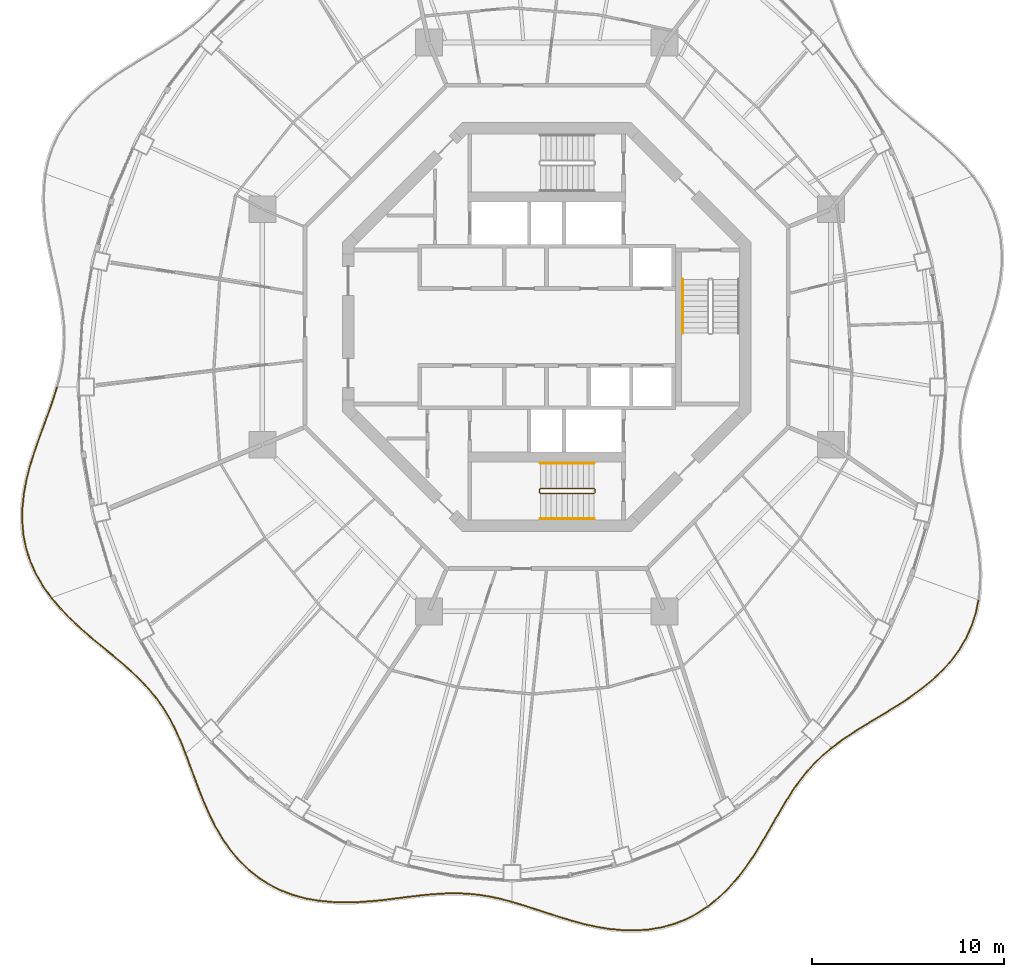
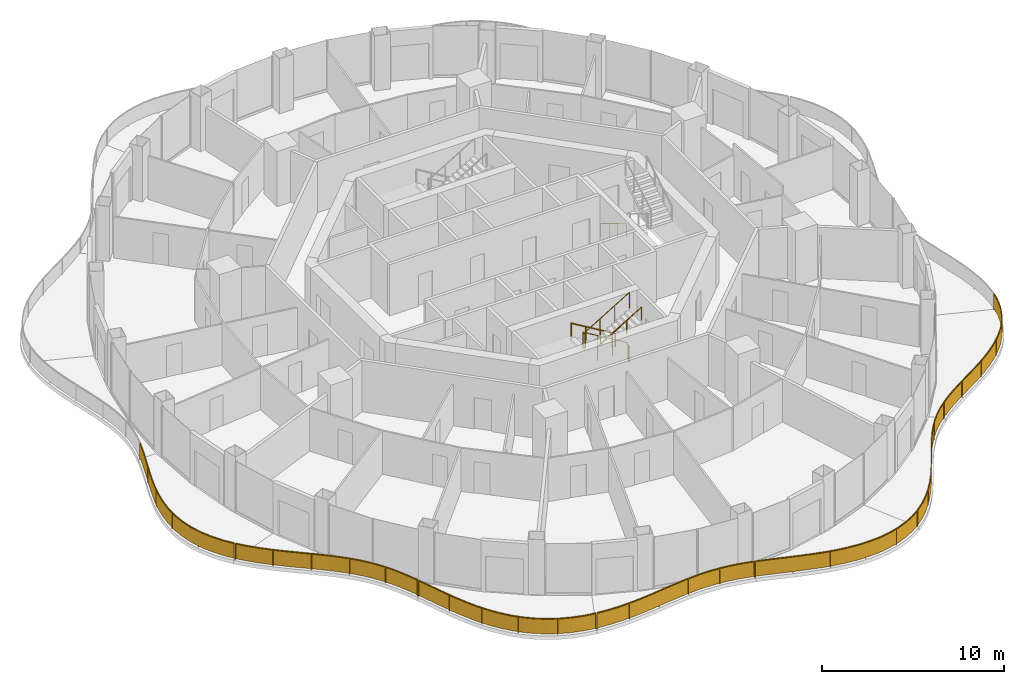
# One storey, part 16 of 18: 11 railings.
"""IFC4 building model written with IfcOpenShell, lengths in metres."""

from ifc_helpers import new_model, si_unit, direction, frame, origin, origin_2d, place, context, subcontext, project, spatial, polyline, rectangle, circle, outline, extrude, material, type_object, element, save


model = new_model("IFC4")

# Units and contexts
model_context = context("Model", 3, precision=1e-05, world=origin(), true_north=direction((0.0, 1.0)))
body_context = subcontext(model_context, "Body", "Model", "MODEL_VIEW")
ifc_project = project(units=[si_unit("LENGTHUNIT", "METRE"), si_unit("AREAUNIT", "SQUARE_METRE"), si_unit("VOLUMEUNIT", "CUBIC_METRE"), si_unit("PLANEANGLEUNIT", "RADIAN"), si_unit("MASSUNIT", "GRAM", prefix="KILO")], contexts=[model_context])

# Site, building, storey
site_placement = place(None, origin())
site = spatial("IfcSite", under=ifc_project, at=site_placement, CompositionType="ELEMENT")
building_placement = place(site_placement, origin())
building = spatial("IfcBuilding", under=site, at=building_placement, Name="Nagisa Residences", CompositionType="ELEMENT")
storey_placement = place(building_placement, frame((0.0, 0.0, 284.39990234375)))
storey = spatial("IfcBuildingStorey", under=building, at=storey_placement, Name="L72", CompositionType="ELEMENT", Elevation=284.39990234375)

# Railings
ifc_material_1 = material(Name="Stainless steel 316", Category="steel")
railing_type_1 = type_object("IfcRailingType", Name="BALCONY GUARD 1100", PredefinedType="BALUSTRADE", material=ifc_material_1)
railing_1_placement = place(storey_placement, frame((-25.464111328125, -3.15185546875, 0.0)))
element("IfcRailing", 1, at=railing_1_placement, inside=storey, type_object=railing_type_1, Name="guard:L72:bal08-0", PredefinedType="BALUSTRADE", context=body_context, shape_type="SweptSolid", body=[
    extrude(outline(polyline([(-0.169189453125, -0.6240234375), (0.02392578125, -0.007568359375), (-0.02392578125, 0.007568359375), (-0.216552734375, -0.6083984375), (-0.44921875, -1.275634765625), (-0.698486328125, -1.9560546875), (-0.9521484375, -2.649658203125), (-1.196044921875, -3.35595703125), (-1.418701171875, -4.059814453125), (-1.60302734375, -4.786376953125), (-1.73876953125, -5.517578125), (-1.814697265625, -6.249267578125), (-1.822998046875, -6.97607421875), (-1.76025390625, -7.6796875), (-1.616455078125, -8.381103515625), (-1.395263671875, -9.0625), (-1.098388671875, -9.719482421875), (-0.731689453125, -10.348876953125), (-0.328125, -10.91015625), (-0.28759765625, -10.880859375), (-0.689697265625, -10.321533203125), (-1.053955078125, -9.696533203125), (-1.348388671875, -9.04443359375), (-1.568115234375, -8.368408203125), (-1.71044921875, -7.67236328125), (-1.772705078125, -6.97412109375), (-1.764892578125, -6.252197265625), (-1.68896484375, -5.52490234375), (-1.55419921875, -4.797119140625), (-1.370361328125, -4.073486328125), (-1.148681640625, -3.37158203125), (-0.90478515625, -2.666259765625), (-0.651611328125, -1.97314453125), (-0.40185546875, -1.292724609375), (-0.169189453125, -0.6240234375)])), frame((0.0, 0.0, 1.050048828125)), (0.0, 0.0, 1.0), 0.050048828125),
    extrude(outline(polyline([(-0.186279296875, -0.618408203125), (0.006591796875, -0.002197265625), (-0.006591796875, 0.002197265625), (-0.199462890625, -0.614013671875), (-0.43212890625, -1.28173828125), (-0.681640625, -1.962158203125), (-0.93505859375, -2.655517578125), (-1.178955078125, -3.361572265625), (-1.4013671875, -4.064697265625), (-1.58544921875, -4.790283203125), (-1.720703125, -5.520263671875), (-1.796875, -6.250244140625), (-1.804931640625, -6.975341796875), (-1.7421875, -7.677001953125), (-1.59912109375, -8.37646484375), (-1.37841796875, -9.055908203125), (-1.08251953125, -9.711181640625), (-0.716552734375, -10.339111328125), (-0.3134765625, -10.899658203125), (-0.30224609375, -10.891357421875), (-0.704833984375, -10.331298828125), (-1.06982421875, -9.704833984375), (-1.365234375, -9.051025390625), (-1.58544921875, -8.373046875), (-1.728515625, -7.675048828125), (-1.790771484375, -6.974853515625), (-1.78271484375, -6.251220703125), (-1.70703125, -5.522216796875), (-1.57177734375, -4.793212890625), (-1.3876953125, -4.068603515625), (-1.165771484375, -3.365966796875), (-0.921875, -2.660400390625), (-0.66845703125, -1.967041015625), (-0.4189453125, -1.28662109375), (-0.186279296875, -0.618408203125)])), frame((0.0, 0.0, 0.06005859375)), (0.0, 0.0, 1.0), 0.989990234375),
    extrude(rectangle(XDim=0.0400390625, YDim=0.0400390625, at=origin_2d()), origin(), (0.0, 0.0, 1.0), 1.050048828125),
    extrude(rectangle(XDim=0.0400390625, YDim=0.0400390625, at=origin_2d()), frame((-0.752197265625, -2.17578125, 0.0)), (0.0, 0.0, 1.0), 1.050048828125),
    extrude(rectangle(XDim=0.0400390625, YDim=0.0400390625, at=origin_2d()), frame((-1.4697265625, -4.3623046875, 0.0)), (0.0, 0.0, 1.0), 1.050048828125),
    extrude(rectangle(XDim=0.0400390625, YDim=0.0400390625, at=origin_2d()), frame((-1.794189453125, -6.634765625, 0.0)), (0.0, 0.0, 1.0), 1.050048828125),
    extrude(rectangle(XDim=0.0400390625, YDim=0.0400390625, at=origin_2d()), frame((-1.423828125, -8.893310546875, 0.0)), (0.0, 0.0, 1.0), 1.050048828125),
    extrude(rectangle(XDim=0.0400390625, YDim=0.0400390625, at=origin_2d()), frame((-0.307861328125, -10.8955078125, 0.0)), (0.0, 0.0, 1.0), 1.050048828125),
])
railing_2_placement = place(storey_placement, frame((-25.723876953125, -14.10791015625, 0.0)))
element("IfcRailing", 2, at=railing_2_placement, inside=storey, type_object=railing_type_1, Name="guard:L72:bal09-0", PredefinedType="BALUSTRADE", context=body_context, shape_type="SweptSolid", body=[
    extrude(outline(polyline([(0.45556640625, -0.49853515625), (0.01904296875, 0.01611328125), (-0.01904296875, -0.01611328125), (0.41845703125, -0.5322265625), (0.923583984375, -1.057861328125), (1.456298828125, -1.55859375), (2.0048828125, -2.037841796875), (2.55810546875, -2.500244140625), (3.097900390625, -2.938232421875), (3.62744140625, -3.38427734375), (4.1318359375, -3.83154296875), (4.604736328125, -4.286865234375), (5.041748046875, -4.756103515625), (5.431640625, -5.23291015625), (5.792236328125, -5.746337890625), (6.1171875, -6.287353515625), (6.411376953125, -6.85791015625), (6.6806640625, -7.457763671875), (6.915283203125, -8.04443359375), (6.961669921875, -8.02587890625), (6.7265625, -7.438232421875), (6.456298828125, -6.83642578125), (6.1611328125, -6.262939453125), (5.834228515625, -5.718994140625), (5.4716796875, -5.20263671875), (5.079345703125, -4.723388671875), (4.640380859375, -4.251708984375), (4.166015625, -3.794921875), (3.66015625, -3.34619140625), (3.129638671875, -2.899658203125), (2.58984375, -2.461669921875), (2.03759765625, -1.999755859375), (1.489990234375, -1.521484375), (0.958740234375, -1.022216796875), (0.45556640625, -0.49853515625)])), frame((0.0, 0.0, 1.050048828125)), (0.0, 0.0, 1.0), 0.050048828125),
    extrude(outline(polyline([(0.442138671875, -0.5107421875), (0.00537109375, 0.004638671875), (-0.00537109375, -0.004638671875), (0.431884765625, -0.52001953125), (0.936279296875, -1.044921875), (1.468505859375, -1.545166015625), (2.0166015625, -2.024169921875), (2.569580078125, -2.486328125), (3.109375, -2.92431640625), (3.63916015625, -3.37060546875), (4.144287109375, -3.818359375), (4.61767578125, -4.274169921875), (5.05517578125, -4.744384765625), (5.446044921875, -5.221923828125), (5.807373046875, -5.736572265625), (6.133056640625, -6.278564453125), (6.427490234375, -6.85009765625), (6.697265625, -7.45068359375), (6.931884765625, -8.037841796875), (6.945068359375, -8.032470703125), (6.7099609375, -7.4453125), (6.440185546875, -6.84423828125), (6.145263671875, -6.271728515625), (5.819091796875, -5.728759765625), (5.457275390625, -5.213623046875), (5.06591796875, -4.735107421875), (4.62744140625, -4.264404296875), (4.153564453125, -3.80810546875), (3.6484375, -3.35986328125), (3.1181640625, -2.91357421875), (2.578369140625, -2.4755859375), (2.02587890625, -2.013427734375), (1.477783203125, -1.534912109375), (0.946044921875, -1.03515625), (0.442138671875, -0.5107421875)])), frame((0.0, 0.0, 0.06005859375)), (0.0, 0.0, 1.0), 0.989990234375),
    extrude(rectangle(XDim=0.0400390625, YDim=0.0400390625, at=origin_2d()), origin(), (0.0, 0.0, 1.0), 1.050048828125),
    extrude(rectangle(XDim=0.0400390625, YDim=0.0400390625, at=origin_2d()), frame((1.487060546875, -1.55224609375, 0.0)), (0.0, 0.0, 1.0), 1.050048828125),
    extrude(rectangle(XDim=0.0400390625, YDim=0.0400390625, at=origin_2d()), frame((3.13427734375, -2.936279296875, 0.0)), (0.0, 0.0, 1.0), 1.050048828125),
    extrude(rectangle(XDim=0.0400390625, YDim=0.0400390625, at=origin_2d()), frame((4.72705078125, -4.38134765625, 0.0)), (0.0, 0.0, 1.0), 1.050048828125),
    extrude(rectangle(XDim=0.0400390625, YDim=0.0400390625, at=origin_2d()), frame((6.027099609375, -6.0888671875, 0.0)), (0.0, 0.0, 1.0), 1.050048828125),
    extrude(rectangle(XDim=0.0400390625, YDim=0.0400390625, at=origin_2d()), frame((6.9384765625, -8.03515625, 0.0)), (0.0, 0.0, 1.0), 1.050048828125),
])
railing_3_placement = place(storey_placement, frame((-18.760498046875, -22.212890625, 0.0)))
element("IfcRailing", 3, at=railing_3_placement, inside=storey, type_object=railing_type_1, Name="guard:L72:bal10-0", PredefinedType="BALUSTRADE", context=body_context, shape_type="SweptSolid", body=[
    extrude(outline(polyline([(0.2392578125, -0.570556640625), (0.0234375, 0.0087890625), (-0.0234375, -0.0087890625), (0.1923828125, -0.588134765625), (0.4267578125, -1.224609375), (0.670166015625, -1.871337890625), (0.931884765625, -2.52099609375), (1.218505859375, -3.16552734375), (1.525390625, -3.785400390625), (1.882080078125, -4.392822265625), (2.2802734375, -4.968017578125), (2.722900390625, -5.502685546875), (3.2109375, -5.989013671875), (3.73193359375, -6.413330078125), (4.303466796875, -6.7841796875), (4.91552734375, -7.09423828125), (5.56103515625, -7.34033203125), (6.2333984375, -7.5234375), (6.87939453125, -7.636474609375), (6.88818359375, -7.587158203125), (6.244140625, -7.474609375), (5.57666015625, -7.29248046875), (4.93603515625, -7.04833984375), (4.328369140625, -6.74072265625), (3.76123046875, -6.372802734375), (3.24462890625, -5.951904296875), (2.760009765625, -5.468994140625), (2.3203125, -4.937744140625), (1.924072265625, -4.365966796875), (1.5693359375, -3.761474609375), (1.263916015625, -3.14404296875), (0.977783203125, -2.50146484375), (0.717041015625, -1.853271484375), (0.4736328125, -1.20703125), (0.2392578125, -0.570556640625)])), frame((0.0, 0.0, 1.050048828125)), (0.0, 0.0, 1.0), 0.050048828125),
    extrude(outline(polyline([(0.222412109375, -0.576904296875), (0.006591796875, 0.00244140625), (-0.006591796875, -0.00244140625), (0.209228515625, -0.581787109375), (0.443603515625, -1.21826171875), (0.68701171875, -1.86474609375), (0.948486328125, -2.513916015625), (1.23486328125, -3.15771484375), (1.541259765625, -3.77685546875), (1.897216796875, -4.383056640625), (2.294677734375, -4.95703125), (2.736328125, -5.490478515625), (3.22314453125, -5.9755859375), (3.742431640625, -6.398681640625), (4.3125, -6.7685546875), (4.9228515625, -7.07763671875), (5.566650390625, -7.322998046875), (6.2373046875, -7.505859375), (6.882568359375, -7.61865234375), (6.885009765625, -7.60498046875), (6.240234375, -7.4921875), (5.571044921875, -7.309814453125), (4.9287109375, -7.06494140625), (4.3193359375, -6.75634765625), (3.750732421875, -6.387451171875), (3.232421875, -5.96533203125), (2.74658203125, -5.481201171875), (2.305908203125, -4.94873046875), (1.908935546875, -4.375732421875), (1.553466796875, -3.77001953125), (1.24755859375, -3.15185546875), (0.961181640625, -2.508544921875), (0.7001953125, -1.85986328125), (0.456787109375, -1.21337890625), (0.222412109375, -0.576904296875)])), frame((0.0, 0.0, 0.06005859375)), (0.0, 0.0, 1.0), 0.989990234375),
    extrude(rectangle(XDim=0.0400390625, YDim=0.0400390625, at=origin_2d()), origin(), (0.0, 0.0, 1.0), 1.050048828125),
    extrude(rectangle(XDim=0.0400390625, YDim=0.0400390625, at=origin_2d()), frame((0.767822265625, -2.04638671875, 0.0)), (0.0, 0.0, 1.0), 1.050048828125),
    extrude(rectangle(XDim=0.0400390625, YDim=0.0400390625, at=origin_2d()), frame((1.6943359375, -4.023681640625, 0.0)), (0.0, 0.0, 1.0), 1.050048828125),
    extrude(rectangle(XDim=0.0400390625, YDim=0.0400390625, at=origin_2d()), frame((3.01318359375, -5.7568359375, 0.0)), (0.0, 0.0, 1.0), 1.050048828125),
    extrude(rectangle(XDim=0.0400390625, YDim=0.0400390625, at=origin_2d()), frame((4.79345703125, -7.004150390625, 0.0)), (0.0, 0.0, 1.0), 1.050048828125),
    extrude(rectangle(XDim=0.0400390625, YDim=0.0400390625, at=origin_2d()), frame((6.8837890625, -7.61181640625, 0.0)), (0.0, 0.0, 1.0), 1.050048828125),
])
railing_4_placement = place(storey_placement, frame((-11.800048828125, -29.83447265625, 0.0)))
element("IfcRailing", 4, at=railing_4_placement, inside=storey, type_object=railing_type_1, Name="guard:L72:bal11-0", PredefinedType="BALUSTRADE", context=body_context, shape_type="SweptSolid", body=[
    extrude(outline(polyline([(0.6337890625, -0.034912109375), (0.00244140625, 0.02490234375), (-0.00244140625, -0.02490234375), (0.630859375, -0.084716796875), (1.31787109375, -0.1064453125), (2.005859375, -0.08984375), (2.68994140625, -0.043701171875), (3.365234375, 0.0234375), (4.011962890625, 0.10693359375), (4.660888671875, 0.1875), (5.295166015625, 0.261474609375), (5.9140625, 0.3203125), (6.51904296875, 0.357177734375), (7.0947265625, 0.36865234375), (7.678955078125, 0.345947265625), (8.258056640625, 0.2890625), (8.83544921875, 0.19775390625), (9.41552734375, 0.07373046875), (9.958984375, -0.0693359375), (9.9716796875, -0.02099609375), (9.42724609375, 0.12255859375), (8.8447265625, 0.2470703125), (8.264404296875, 0.3388671875), (7.682373046875, 0.395751953125), (7.09521484375, 0.4189453125), (6.51708984375, 0.406982421875), (5.91015625, 0.3701171875), (5.289794921875, 0.311279296875), (4.655029296875, 0.2373046875), (4.005615234375, 0.15673828125), (3.359375, 0.0732421875), (2.685546875, 0.006103515625), (2.00341796875, -0.0400390625), (1.31787109375, -0.05615234375), (0.6337890625, -0.034912109375)])), frame((0.0, 0.0, 1.050048828125)), (0.0, 0.0, 1.0), 0.050048828125),
    extrude(outline(polyline([(0.6328125, -0.052734375), (0.000732421875, 0.007080078125), (-0.000732421875, -0.007080078125), (0.6318359375, -0.06689453125), (1.31787109375, -0.08837890625), (2.0048828125, -0.072021484375), (2.688232421875, -0.02587890625), (3.363037109375, 0.04150390625), (4.009765625, 0.125), (4.65869140625, 0.20556640625), (5.293212890625, 0.279296875), (5.91259765625, 0.338134765625), (6.518310546875, 0.375), (7.094970703125, 0.38671875), (7.68017578125, 0.36376953125), (8.26025390625, 0.30712890625), (8.8388671875, 0.215576171875), (9.419677734375, 0.09130859375), (9.963623046875, -0.052001953125), (9.967041015625, -0.038330078125), (9.423095703125, 0.10498046875), (8.84130859375, 0.229248046875), (8.26220703125, 0.32080078125), (7.68115234375, 0.3779296875), (7.094970703125, 0.40087890625), (6.517822265625, 0.38916015625), (5.91162109375, 0.352294921875), (5.291748046875, 0.29345703125), (4.6572265625, 0.21923828125), (4.0078125, 0.138671875), (3.361572265625, 0.05517578125), (2.687255859375, -0.01171875), (2.00439453125, -0.057861328125), (1.31787109375, -0.07421875), (0.6328125, -0.052734375)])), frame((0.0, 0.0, 0.06005859375)), (0.0, 0.0, 1.0), 0.989990234375),
    extrude(rectangle(XDim=0.0400390625, YDim=0.0400390625, at=origin_2d()), origin(), (0.0, 0.0, 1.0), 1.050048828125),
    extrude(rectangle(XDim=0.0400390625, YDim=0.0400390625, at=origin_2d()), frame((2.00341796875, -0.06494140625, 0.0)), (0.0, 0.0, 1.0), 1.050048828125),
    extrude(rectangle(XDim=0.0400390625, YDim=0.0400390625, at=origin_2d()), frame((4.000244140625, 0.130615234375, 0.0)), (0.0, 0.0, 1.0), 1.050048828125),
    extrude(rectangle(XDim=0.0400390625, YDim=0.0400390625, at=origin_2d()), frame((5.994873046875, 0.350341796875, 0.0)), (0.0, 0.0, 1.0), 1.050048828125),
    extrude(rectangle(XDim=0.0400390625, YDim=0.0400390625, at=origin_2d()), frame((7.99853515625, 0.339599609375, 0.0)), (0.0, 0.0, 1.0), 1.050048828125),
    extrude(rectangle(XDim=0.0400390625, YDim=0.0400390625, at=origin_2d()), frame((9.96533203125, -0.045166015625, 0.0)), (0.0, 0.0, 1.0), 1.050048828125),
])
railing_5_placement = place(storey_placement, frame((-1.765625, -29.901123046875, 0.0)))
element("IfcRailing", 5, at=railing_5_placement, inside=storey, type_object=railing_type_1, Name="guard:L72:bal12-0", PredefinedType="BALUSTRADE", context=body_context, shape_type="SweptSolid", body=[
    extrude(outline(polyline([(0.560791015625, -0.142822265625), (0.00732421875, 0.02392578125), (-0.00732421875, -0.02392578125), (0.546142578125, -0.190673828125), (1.154296875, -0.3857421875), (1.77685546875, -0.59033203125), (2.4140625, -0.795166015625), (3.0654296875, -0.990478515625), (3.712158203125, -1.169189453125), (4.38720703125, -1.316162109375), (5.06884765625, -1.4248046875), (5.753662109375, -1.487060546875), (6.435791015625, -1.495849609375), (7.093994140625, -1.450439453125), (7.7548828125, -1.337646484375), (8.3974609375, -1.15966796875), (9.0166015625, -0.916748046875), (9.608154296875, -0.611328125), (10.126708984375, -0.271484375), (10.099365234375, -0.2294921875), (9.582763671875, -0.56787109375), (8.99609375, -0.871337890625), (8.3818359375, -1.1123046875), (7.744140625, -1.288818359375), (7.088134765625, -1.400634765625), (6.434326171875, -1.445556640625), (5.756103515625, -1.437255859375), (5.0751953125, -1.375), (4.396484375, -1.266845703125), (3.724365234375, -1.120361328125), (3.0791015625, -0.942138671875), (2.4287109375, -0.747314453125), (1.79248046875, -0.54296875), (1.169921875, -0.33837890625), (0.560791015625, -0.142822265625)])), frame((0.0, 0.0, 1.050048828125)), (0.0, 0.0, 1.0), 0.050048828125),
    extrude(outline(polyline([(0.5556640625, -0.16015625), (0.001953125, 0.006591796875), (-0.001953125, -0.006591796875), (0.55126953125, -0.17333984375), (1.159912109375, -0.36865234375), (1.782470703125, -0.5732421875), (2.419189453125, -0.77783203125), (3.0703125, -0.97314453125), (3.716552734375, -1.151611328125), (4.390625, -1.29833984375), (5.071044921875, -1.40673828125), (5.754638671875, -1.46923828125), (6.435302734375, -1.477783203125), (7.091796875, -1.4326171875), (7.7509765625, -1.320068359375), (8.391845703125, -1.142578125), (9.00927734375, -0.900390625), (9.598876953125, -0.595703125), (10.116943359375, -0.25634765625), (10.109130859375, -0.24462890625), (9.592041015625, -0.58349609375), (9.00341796875, -0.8876953125), (8.387451171875, -1.12939453125), (7.748046875, -1.306396484375), (7.09033203125, -1.41845703125), (6.434814453125, -1.463623046875), (5.755126953125, -1.455078125), (5.072998046875, -1.39306640625), (4.39306640625, -1.28466796875), (3.719970703125, -1.137939453125), (3.07421875, -0.95947265625), (2.423583984375, -0.7646484375), (1.786865234375, -0.56005859375), (1.164306640625, -0.35546875), (0.5556640625, -0.16015625)])), frame((0.0, 0.0, 0.06005859375)), (0.0, 0.0, 1.0), 0.989990234375),
    extrude(rectangle(XDim=0.0400390625, YDim=0.0400390625, at=origin_2d()), origin(), (0.0, 0.0, 1.0), 1.050048828125),
    extrude(rectangle(XDim=0.0400390625, YDim=0.0400390625, at=origin_2d()), frame((2.014404296875, -0.640380859375, 0.0)), (0.0, 0.0, 1.0), 1.050048828125),
    extrude(rectangle(XDim=0.0400390625, YDim=0.0400390625, at=origin_2d()), frame((4.047119140625, -1.21630859375, 0.0)), (0.0, 0.0, 1.0), 1.050048828125),
    extrude(rectangle(XDim=0.0400390625, YDim=0.0400390625, at=origin_2d()), frame((6.1416015625, -1.467041015625, 0.0)), (0.0, 0.0, 1.0), 1.050048828125),
    extrude(rectangle(XDim=0.0400390625, YDim=0.0400390625, at=origin_2d()), frame((8.226318359375, -1.18115234375, 0.0)), (0.0, 0.0, 1.0), 1.050048828125),
    extrude(rectangle(XDim=0.0400390625, YDim=0.0400390625, at=origin_2d()), frame((10.113037109375, -0.25048828125, 0.0)), (0.0, 0.0, 1.0), 1.050048828125),
])
railing_6_placement = place(storey_placement, frame((8.409912109375, -30.10595703125, 0.0)))
element("IfcRailing", 6, at=railing_6_placement, inside=storey, type_object=railing_type_1, Name="guard:L72:bal13-0", PredefinedType="BALUSTRADE", context=body_context, shape_type="SweptSolid", body=[
    extrude(outline(polyline([(0.489013671875, 0.4248046875), (-0.015625, 0.01953125), (0.015625, -0.01953125), (0.522216796875, 0.38720703125), (1.0302734375, 0.873779296875), (1.5009765625, 1.40234375), (1.93701171875, 1.963623046875), (2.34033203125, 2.547119140625), (2.70458984375, 3.135009765625), (3.060302734375, 3.734130859375), (3.40234375, 4.327392578125), (3.737060546875, 4.906494140625), (4.072265625, 5.46533203125), (4.403076171875, 5.988037109375), (4.7607421875, 6.4921875), (5.138671875, 6.966796875), (5.54248046875, 7.410888671875), (5.974853515625, 7.82666015625), (6.406005859375, 8.190673828125), (6.373779296875, 8.228759765625), (5.941162109375, 7.86376953125), (5.50634765625, 7.445556640625), (5.1005859375, 6.9990234375), (4.720703125, 6.5224609375), (4.361572265625, 6.015869140625), (4.02978515625, 5.49169921875), (3.694091796875, 4.931884765625), (3.35888671875, 4.352294921875), (3.017333984375, 3.759521484375), (2.66162109375, 3.160888671875), (2.29833984375, 2.574462890625), (1.896484375, 1.993408203125), (1.46240234375, 1.4345703125), (0.994140625, 0.908447265625), (0.489013671875, 0.4248046875)])), frame((0.0, 0.0, 1.050048828125)), (0.0, 0.0, 1.0), 0.050048828125),
    extrude(outline(polyline([(0.5009765625, 0.411376953125), (-0.00439453125, 0.00537109375), (0.00439453125, -0.00537109375), (0.51025390625, 0.400634765625), (1.017333984375, 0.88623046875), (1.487060546875, 1.4140625), (1.92236328125, 1.974365234375), (2.3251953125, 2.556884765625), (2.689208984375, 3.144287109375), (3.044921875, 3.743408203125), (3.38671875, 4.33642578125), (3.7216796875, 4.91552734375), (4.056884765625, 5.474853515625), (4.38818359375, 5.998046875), (4.746337890625, 6.503173828125), (5.125, 6.978271484375), (5.529541015625, 7.42333984375), (5.962646484375, 7.840087890625), (6.394287109375, 8.204345703125), (6.385498046875, 8.215087890625), (5.953369140625, 7.850341796875), (5.519287109375, 7.43310546875), (5.1142578125, 6.987548828125), (4.735107421875, 6.511474609375), (4.37646484375, 6.005859375), (4.045166015625, 5.482177734375), (3.70947265625, 4.9228515625), (3.37451171875, 4.34326171875), (3.03271484375, 3.750244140625), (2.677001953125, 3.151611328125), (2.3134765625, 2.564697265625), (1.9111328125, 1.982666015625), (1.476318359375, 1.4228515625), (1.007080078125, 0.89599609375), (0.5009765625, 0.411376953125)])), frame((0.0, 0.0, 0.06005859375)), (0.0, 0.0, 1.0), 0.989990234375),
    extrude(rectangle(XDim=0.0400390625, YDim=0.0400390625, at=origin_2d()), origin(), (0.0, 0.0, 1.0), 1.050048828125),
    extrude(rectangle(XDim=0.0400390625, YDim=0.0400390625, at=origin_2d()), frame((1.506591796875, 1.450439453125, 0.0)), (0.0, 0.0, 1.0), 1.050048828125),
    extrude(rectangle(XDim=0.0400390625, YDim=0.0400390625, at=origin_2d()), frame((2.697998046875, 3.1728515625, 0.0)), (0.0, 0.0, 1.0), 1.050048828125),
    extrude(rectangle(XDim=0.0400390625, YDim=0.0400390625, at=origin_2d()), frame((3.754150390625, 4.983642578125, 0.0)), (0.0, 0.0, 1.0), 1.050048828125),
    extrude(rectangle(XDim=0.0400390625, YDim=0.0400390625, at=origin_2d()), frame((4.915283203125, 6.7265625, 0.0)), (0.0, 0.0, 1.0), 1.050048828125),
    extrude(rectangle(XDim=0.0400390625, YDim=0.0400390625, at=origin_2d()), frame((6.389892578125, 8.209716796875, 0.0)), (0.0, 0.0, 1.0), 1.050048828125),
])
railing_7_placement = place(storey_placement, frame((14.855712890625, -21.85400390625, 0.0)))
element("IfcRailing", 7, at=railing_7_placement, inside=storey, type_object=railing_type_1, Name="guard:L72:bal14-0", PredefinedType="BALUSTRADE", context=body_context, shape_type="SweptSolid", body=[
    extrude(outline(polyline([(0.47216796875, 0.384033203125), (-0.014892578125, 0.02001953125), (0.014892578125, -0.02001953125), (0.5009765625, 0.343017578125), (1.052001953125, 0.716064453125), (1.630615234375, 1.080322265625), (2.230712890625, 1.44384765625), (2.84375, 1.81396484375), (3.45263671875, 2.186279296875), (4.0634765625, 2.591552734375), (4.65625, 3.02392578125), (5.219970703125, 3.4873046875), (5.74462890625, 3.985107421875), (6.212890625, 4.506103515625), (6.63037109375, 5.076171875), (6.9833984375, 5.680419921875), (7.267822265625, 6.316650390625), (7.4814453125, 6.980712890625), (7.614013671875, 7.621826171875), (7.565185546875, 7.632080078125), (7.43310546875, 6.993408203125), (7.220947265625, 6.334716796875), (6.93896484375, 5.703369140625), (6.58837890625, 5.103515625), (6.173828125, 4.537841796875), (5.70849609375, 4.020263671875), (5.186767578125, 3.52490234375), (4.62548828125, 3.0634765625), (4.03466796875, 2.632568359375), (3.42578125, 2.228271484375), (2.81787109375, 1.85693359375), (2.204833984375, 1.48681640625), (1.604248046875, 1.122802734375), (1.024658203125, 0.758056640625), (0.47216796875, 0.384033203125)])), frame((0.0, 0.0, 1.050048828125)), (0.0, 0.0, 1.0), 0.050048828125),
    extrude(outline(polyline([(0.482421875, 0.369140625), (-0.004150390625, 0.005615234375), (0.004150390625, -0.005615234375), (0.49072265625, 0.35791015625), (1.042236328125, 0.731201171875), (1.62109375, 1.095703125), (2.221435546875, 1.459228515625), (2.83447265625, 1.829345703125), (3.44287109375, 2.201416015625), (4.052978515625, 2.606201171875), (4.645263671875, 3.0380859375), (5.2080078125, 3.5009765625), (5.731689453125, 3.997802734375), (6.19873046875, 4.517578125), (6.615234375, 5.0859375), (6.967529296875, 5.688720703125), (7.2509765625, 6.3232421875), (7.464111328125, 6.9853515625), (7.596435546875, 7.62548828125), (7.582763671875, 7.62841796875), (7.450439453125, 6.98876953125), (7.23779296875, 6.328125), (6.954833984375, 5.695068359375), (6.603515625, 5.09375), (6.18798828125, 4.5263671875), (5.721435546875, 4.007568359375), (5.19873046875, 3.51123046875), (4.636474609375, 3.04931640625), (4.045166015625, 2.617919921875), (3.435546875, 2.213134765625), (2.8271484375, 1.841552734375), (2.214111328125, 1.471435546875), (1.61376953125, 1.107421875), (1.034423828125, 0.742919921875), (0.482421875, 0.369140625)])), frame((0.0, 0.0, 0.06005859375)), (0.0, 0.0, 1.0), 0.989990234375),
    extrude(rectangle(XDim=0.0400390625, YDim=0.0400390625, at=origin_2d()), origin(), (0.0, 0.0, 1.0), 1.050048828125),
    extrude(rectangle(XDim=0.0400390625, YDim=0.0400390625, at=origin_2d()), frame((1.84912109375, 1.241943359375, 0.0)), (0.0, 0.0, 1.0), 1.050048828125),
    extrude(rectangle(XDim=0.0400390625, YDim=0.0400390625, at=origin_2d()), frame((3.74658203125, 2.411376953125, 0.0)), (0.0, 0.0, 1.0), 1.050048828125),
    extrude(rectangle(XDim=0.0400390625, YDim=0.0400390625, at=origin_2d()), frame((5.497314453125, 3.78515625, 0.0)), (0.0, 0.0, 1.0), 1.050048828125),
    extrude(rectangle(XDim=0.0400390625, YDim=0.0400390625, at=origin_2d()), frame((6.866943359375, 5.53076171875, 0.0)), (0.0, 0.0, 1.0), 1.050048828125),
    extrude(rectangle(XDim=0.0400390625, YDim=0.0400390625, at=origin_2d()), frame((7.589599609375, 7.626953125, 0.0)), (0.0, 0.0, 1.0), 1.050048828125),
])
ifc_material_2 = material(Name="Stainless steel", Category="steel")
railing_type_2 = type_object("IfcRailingType", Name="Stair guard 1100", PredefinedType="GUARDRAIL", material=ifc_material_2)
railing_8_placement = place(storey_placement, frame((2.52490234375, -8.599609375, 0.0)))
element("IfcRailing", 8, at=railing_8_placement, inside=storey, type_object=railing_type_2, Name="L72 ST-S stair guard 1", PredefinedType="GUARDRAIL", context=body_context, shape_type="SweptSolid", body=[
    extrude(circle(Radius=0.02392578125, at=origin_2d()), frame((0.0, 0.0, 1.076171875), z_axis=(0.0, 1.0, 0.0), x_axis=(-1.0, 0.0, 0.0)), (0.0, 0.0, 1.0), 0.14990234375),
    extrude(circle(Radius=0.02392578125, at=origin_2d()), frame((0.0, 0.14990234375, 1.076171875), z_axis=(-0.273006030465, 0.27434429532, 0.922064485248), x_axis=(-0.708833529934, -0.705375805398, 0.0)), (0.0, 0.0, 1.0), 0.182373046875),
    extrude(circle(Radius=0.02392578125, at=origin_2d()), frame((-0.0498046875, 0.199951171875, 1.244140625), z_axis=(-0.857242210791, 0.0, 0.514913383045), x_axis=(0.0, -1.0, 0.0)), (0.0, 0.0, 1.0), 3.266357421875),
    extrude(circle(Radius=0.02392578125, at=origin_2d()), frame((-2.849853515625, 0.199951171875, 2.92626953125), z_axis=(-0.707106781187, -0.707106781187, 0.0), x_axis=(0.707106781187, -0.707106781187, 0.0)), (0.0, 0.0, 1.0), 0.07080078125),
    extrude(circle(Radius=0.02392578125, at=origin_2d()), frame((-2.89990234375, 0.14990234375, 2.92626953125), z_axis=(0.0, -1.0, 0.0), x_axis=(1.0, 0.0, 0.0)), (0.0, 0.0, 1.0), 0.14990234375),
    extrude(circle(Radius=0.02392578125, at=origin_2d()), frame((-2.89990234375, 0.0, 2.92626953125), z_axis=(0.274243871929, -0.274243871929, 0.92172696468), x_axis=(0.707106781187, 0.707106781187, 0.0)), (0.0, 0.0, 1.0), 0.1826171875),
    extrude(circle(Radius=0.02392578125, at=origin_2d()), frame((-2.849853515625, -0.050048828125, 3.09423828125), z_axis=(0.857242210791, 0.0, 0.514913383045), x_axis=(0.0, 1.0, 0.0)), (0.0, 0.0, 1.0), 3.266357421875),
    extrude(circle(Radius=0.02099609375, at=origin_2d()), origin(), (0.0, 0.0, 1.0), 1.052001953125),
    extrude(circle(Radius=0.02099609375, at=origin_2d()), frame((0.0, 0.14990234375, 0.0)), (0.0, 0.0, 1.0), 1.052001953125),
    extrude(circle(Radius=0.02099609375, at=origin_2d()), frame((-0.0498046875, 0.199951171875, 0.168212890625)), (0.0, 0.0, 1.0), 1.052001953125),
    extrude(circle(Radius=0.02099609375, at=origin_2d()), frame((-0.983154296875, 0.199951171875, 0.728759765625)), (0.0, 0.0, 1.0), 1.052001953125),
    extrude(circle(Radius=0.02099609375, at=origin_2d()), frame((-1.91650390625, 0.199951171875, 1.28955078125)), (0.0, 0.0, 1.0), 1.052001953125),
    extrude(circle(Radius=0.02099609375, at=origin_2d()), frame((-2.849853515625, 0.199951171875, 1.85009765625)), (0.0, 0.0, 1.0), 1.052001953125),
    extrude(circle(Radius=0.02099609375, at=origin_2d()), frame((-2.89990234375, 0.14990234375, 1.85009765625)), (0.0, 0.0, 1.0), 1.052001953125),
    extrude(circle(Radius=0.02099609375, at=origin_2d()), frame((-2.89990234375, 0.0, 1.85009765625)), (0.0, 0.0, 1.0), 1.052001953125),
    extrude(circle(Radius=0.02099609375, at=origin_2d()), frame((-2.849853515625, -0.050048828125, 2.018310546875)), (0.0, 0.0, 1.0), 1.052001953125),
    extrude(circle(Radius=0.02099609375, at=origin_2d()), frame((-1.91650390625, -0.050048828125, 2.578857421875)), (0.0, 0.0, 1.0), 1.052001953125),
    extrude(circle(Radius=0.02099609375, at=origin_2d()), frame((-0.983154296875, -0.050048828125, 3.1396484375)), (0.0, 0.0, 1.0), 1.052001953125),
    extrude(circle(Radius=0.02099609375, at=origin_2d()), frame((-0.0498046875, -0.050048828125, 3.7001953125)), (0.0, 0.0, 1.0), 1.052001953125),
])
ifc_material_3 = material(Name="Stainless steel", Category="steel")
railing_type_3 = type_object("IfcRailingType", Name="Stair handrail 900", PredefinedType="HANDRAIL", material=ifc_material_3)
railing_9_placement = place(storey_placement, frame((7.07470703125, 2.47509765625, 0.168212890625)))
element("IfcRailing", 9, at=railing_9_placement, inside=storey, type_object=railing_type_3, Name="L72 ST-E stair handrail 1", PredefinedType="HANDRAIL", context=body_context, shape_type="SweptSolid", body=[
    extrude(circle(Radius=0.02392578125, at=origin_2d()), frame((0.0, 0.0, 0.8759765625), z_axis=(0.0, -0.857242210791, 0.514913383045), x_axis=(1.0, 0.0, 0.0)), (0.0, 0.0, 1.0), 3.266357421875),
    extrude(circle(Radius=0.02099609375, at=origin_2d()), origin(), (0.0, 0.0, 1.0), 0.851806640625),
    extrude(circle(Radius=0.02099609375, at=origin_2d()), frame((0.0, -0.933349609375, 0.560546875)), (0.0, 0.0, 1.0), 0.851806640625),
    extrude(circle(Radius=0.02099609375, at=origin_2d()), frame((0.0, -1.86669921875, 1.121337890625)), (0.0, 0.0, 1.0), 0.851806640625),
    extrude(circle(Radius=0.02099609375, at=origin_2d()), frame((0.0, -2.800048828125, 1.681884765625)), (0.0, 0.0, 1.0), 0.851806640625),
])
railing_10_placement = place(storey_placement, frame((2.47509765625, -7.07470703125, 0.168212890625)))
element("IfcRailing", 10, at=railing_10_placement, inside=storey, type_object=railing_type_3, Name="L72 ST-S stair handrail 1", PredefinedType="HANDRAIL", context=body_context, shape_type="SweptSolid", body=[
    extrude(circle(Radius=0.02392578125, at=origin_2d()), frame((0.0, 0.0, 0.8759765625), z_axis=(-0.857242210791, 0.0, 0.514913383045), x_axis=(0.0, -1.0, 0.0)), (0.0, 0.0, 1.0), 3.266357421875),
    extrude(circle(Radius=0.02099609375, at=origin_2d()), origin(), (0.0, 0.0, 1.0), 0.851806640625),
    extrude(circle(Radius=0.02099609375, at=origin_2d()), frame((-0.933349609375, 0.0, 0.560546875)), (0.0, 0.0, 1.0), 0.851806640625),
    extrude(circle(Radius=0.02099609375, at=origin_2d()), frame((-1.86669921875, 0.0, 1.121337890625)), (0.0, 0.0, 1.0), 0.851806640625),
    extrude(circle(Radius=0.02099609375, at=origin_2d()), frame((-2.800048828125, 0.0, 1.681884765625)), (0.0, 0.0, 1.0), 0.851806640625),
])
railing_11_placement = place(storey_placement, frame((-0.324951171875, -9.974609375, 2.018310546875)))
element("IfcRailing", 11, at=railing_11_placement, inside=storey, type_object=railing_type_3, Name="L72 ST-S stair handrail 2", PredefinedType="HANDRAIL", context=body_context, shape_type="SweptSolid", body=[
    extrude(circle(Radius=0.02392578125, at=origin_2d()), frame((0.0, 0.0, 0.8759765625), z_axis=(0.857242210791, 0.0, 0.514913383045), x_axis=(0.0, 1.0, 0.0)), (0.0, 0.0, 1.0), 3.266357421875),
    extrude(circle(Radius=0.02099609375, at=origin_2d()), origin(), (0.0, 0.0, 1.0), 0.851806640625),
    extrude(circle(Radius=0.02099609375, at=origin_2d()), frame((0.933349609375, 0.0, 0.560546875)), (0.0, 0.0, 1.0), 0.851806640625),
    extrude(circle(Radius=0.02099609375, at=origin_2d()), frame((1.86669921875, 0.0, 1.121337890625)), (0.0, 0.0, 1.0), 0.851806640625),
    extrude(circle(Radius=0.02099609375, at=origin_2d()), frame((2.800048828125, 0.0, 1.681884765625)), (0.0, 0.0, 1.0), 0.851806640625),
])

save(model, "model.ifc")
